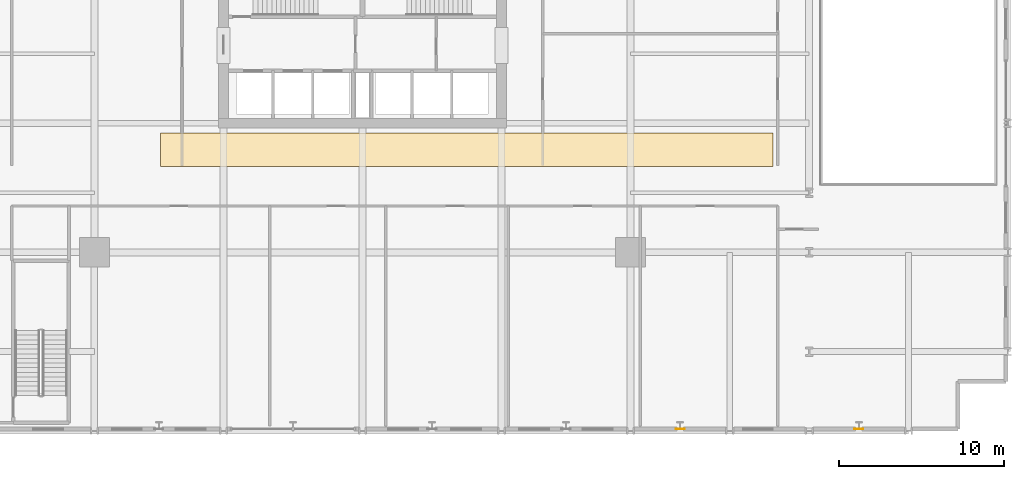
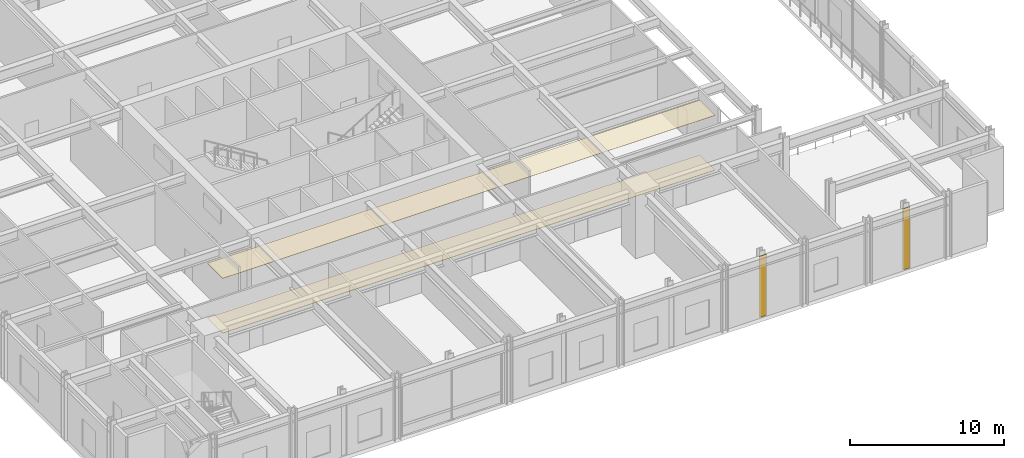
# One storey, part 18 of 21: 4 coverings.
"""IFC4 building model written with IfcOpenShell, lengths in metres."""

from ifc_helpers import new_model, si_unit, direction, frame, origin, origin_2d, place, context, subcontext, project, spatial, polyline, rectangle, outline, extrude, material, layer, layer_set, type_object, element, save


model = new_model("IFC4")

# Units and contexts
model_context = context("Model", 3, precision=1e-05, world=origin(), true_north=direction((0.0, 1.0)))
body_context = subcontext(model_context, "Body", "Model", "MODEL_VIEW")
ifc_project = project(units=[si_unit("LENGTHUNIT", "METRE"), si_unit("AREAUNIT", "SQUARE_METRE"), si_unit("VOLUMEUNIT", "CUBIC_METRE"), si_unit("PLANEANGLEUNIT", "RADIAN"), si_unit("MASSUNIT", "GRAM", prefix="KILO")], contexts=[model_context])

# Site, building, storey
site_placement = place(None, origin())
site = spatial("IfcSite", under=ifc_project, at=site_placement, CompositionType="ELEMENT")
building_placement = place(site_placement, origin())
building = spatial("IfcBuilding", under=site, at=building_placement, Name="Drelvath Grand Hotel", CompositionType="ELEMENT")
storey_placement = place(building_placement, frame((0.0, 0.0, 22.39990234375)))
storey = spatial("IfcBuildingStorey", under=building, at=storey_placement, Name="L04", CompositionType="ELEMENT", Elevation=22.39990234375)

# Coverings
ifc_material_1 = material(Name="Acoustic Gypsum Board")
ifc_layer_1 = layer(ifc_material_1, 0.02490234375)
ifc_layer_set_1 = layer_set([ifc_layer_1], Name="Acoustic Gypsum Board")
covering_type_1 = type_object("IfcCoveringType", Name="Acoustic Gypsum Hospitality Ceiling 25", PredefinedType="CEILING", material=ifc_layer_set_1)
covering_1_placement = place(storey_placement, frame((0.0, 0.0, 4.35009765625)))
element("IfcCovering", 1, at=covering_1_placement, inside=storey, type_object=covering_type_1, Name="L04 Podium Gallery Ceiling", PredefinedType="CEILING", context=body_context, shape_type="SweptSolid", body=[
    extrude(outline(polyline([(24.800048828125, 16.0), (24.800048828125, 18.0), (-12.199951171875, 18.0), (-12.199951171875, 16.0), (24.800048828125, 16.0)])), origin(), (0.0, 0.0, 1.0), 0.02490234375),
])
ifc_material_2 = material(Name="Warm Bronze Anodised Aluminium Cladding", Category="aluminium")
ifc_layer_2 = layer(ifc_material_2, 0.034912109375)
ifc_layer_set_2 = layer_set([ifc_layer_2], Name="Warm Bronze Anodised Aluminium Cladding")
covering_type_2 = type_object("IfcCoveringType", Name="Bronze Anodised Pier Cladding Panel 35", PredefinedType="CLADDING", material=ifc_layer_set_2)
for number, where, z_axis, x_axis, name in (
    (2, (19.199951171875, 0.1201171875, 0.0), (0.0, 0.0, 1.0), (1.0, 0.0, 0.0), "L04 Colonnade Bronze Pier Cladding S5"),
    (3, (30.0, 0.1201171875, 0.0), (0.0, 0.0, 1.0), (1.0, 0.0, 0.0), "L04 Colonnade Bronze Pier Cladding S6"),
):
    element("IfcCovering", number, at=place(storey_placement, frame(where, z_axis=z_axis, x_axis=x_axis)), inside=storey, type_object=covering_type_2, Name=name, PredefinedType="CLADDING", context=body_context, shape_type="SweptSolid", body=[
        extrude(rectangle(XDim=0.550048828125, YDim=0.034912109375, at=origin_2d()), origin(), (0.0, 0.0, 1.0), 4.85009765625),
    ])
ifc_material_3 = material(Name="Honed Indiana Limestone", Category="masonry")
ifc_layer_3 = layer(ifc_material_3, 0.030029296875)
ifc_layer_set_3 = layer_set([ifc_layer_3], Name="Honed Indiana Limestone")
covering_type_3 = type_object("IfcCoveringType", Name="Honed Limestone Lobby Flooring 30", PredefinedType="FLOORING", material=ifc_layer_set_3)
covering_2_placement = place(storey_placement, origin())
element("IfcCovering", 4, at=covering_2_placement, inside=storey, type_object=covering_type_3, Name="L04 Podium Gallery Stone Floor", PredefinedType="FLOORING", context=body_context, shape_type="SweptSolid", body=[
    extrude(outline(polyline([(24.800048828125, 16.0), (24.800048828125, 18.0), (-12.199951171875, 18.0), (-12.199951171875, 16.0), (24.800048828125, 16.0)])), origin(), (0.0, 0.0, 1.0), 0.030029296875),
])

save(model, "model.ifc")
